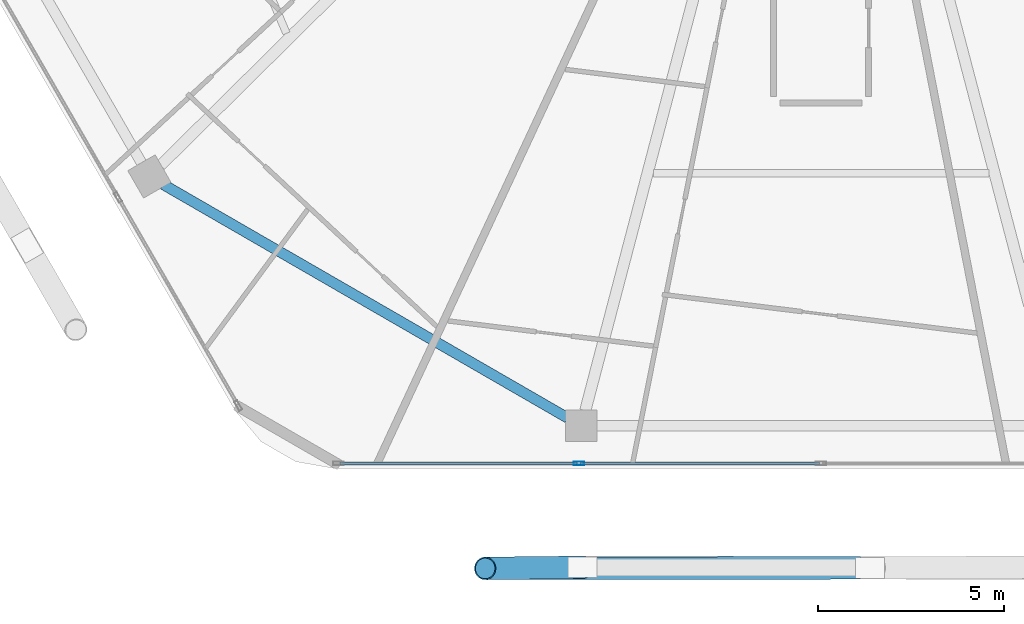
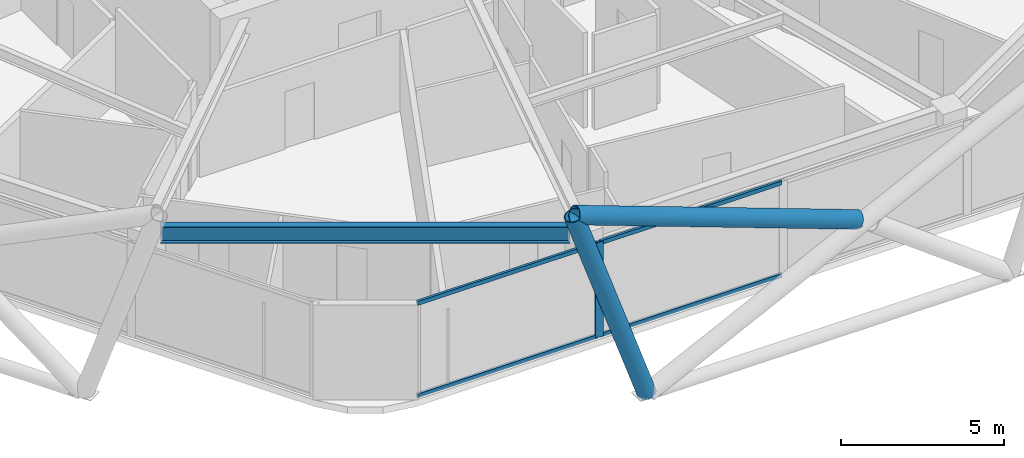
# One storey, part 3 of 29: 7 members, 1 beam, 1 element without a shape of its own.
"""IFC4 building model written with IfcOpenShell, lengths in metres."""

from ifc_helpers import new_model, si_unit, direction, frame, origin, origin_2d, place, context, subcontext, project, spatial, hollow_rectangle, hollow_circle, i_section, extrude, material, material_profile, profile_set, type_object, element, aggregate, save


model = new_model("IFC4")

# Units and contexts
model_context = context("Model", 3, precision=1e-05, world=origin(), true_north=direction((0.0, 1.0)))
body_context = subcontext(model_context, "Body", "Model", "MODEL_VIEW")
ifc_project = project(units=[si_unit("LENGTHUNIT", "METRE"), si_unit("AREAUNIT", "SQUARE_METRE"), si_unit("VOLUMEUNIT", "CUBIC_METRE"), si_unit("PLANEANGLEUNIT", "RADIAN"), si_unit("MASSUNIT", "GRAM", prefix="KILO")], contexts=[model_context])

# Site, building, storey
site_placement = place(None, origin())
site = spatial("IfcSite", under=ifc_project, at=site_placement, CompositionType="ELEMENT")
building_placement = place(site_placement, origin())
building = spatial("IfcBuilding", under=site, at=building_placement, Name="Zuhravey Tower", CompositionType="ELEMENT")
storey_placement = place(building_placement, frame((0.0, 0.0, 269.199951171875)))
storey = spatial("IfcBuildingStorey", under=building, at=storey_placement, Name="L68", CompositionType="ELEMENT", Elevation=269.199951171875)

# Curtain wall, members
ifc_material_1 = material(Name="Thermally broken anodised aluminium", Category="aluminium")
curtain_wall_type = type_object("IfcCurtainWallType", Name="Zone 3-4 High-Rise Curtain Wall CW4", PredefinedType="NOTDEFINED", material=ifc_material_1)
curtain_wall_placement = place(storey_placement, origin())
curtain_wall = element("IfcCurtainWall", 1, at=curtain_wall_placement, inside=storey, type_object=curtain_wall_type, Name="L68 CW4 CW-L68-F5-1", PredefinedType="NOTDEFINED")
ifc_material_2 = material(Name="Anodised aluminium", Category="aluminium")
ifc_material_profile_1 = material_profile(ifc_material_2, hollow_rectangle(XDim=0.090087890625, YDim=0.284912109375, WallThickness=0.0048828125, at=origin_2d()), Name="ALU-RHS-90x285x5")
ifc_profile_set_1 = profile_set([ifc_material_profile_1], Name="Anodised aluminium")
member_type_1 = type_object("IfcMemberType", Name="Curtain-Wall Mullion 90x180", PredefinedType="MULLION", material=ifc_profile_set_1)
member_1_placement = place(storey_placement, frame((29.49365234375, 6.436279296875, 0.0), z_axis=(0.0, 0.0, 1.0), x_axis=(0.0, -1.0, 0.0)))
member_1 = element("IfcMember", 2, at=member_1_placement, type_object=member_type_1, Name="CW4 mullion 4", PredefinedType="MULLION", context=body_context, shape_type="SweptSolid", body=[
    extrude(hollow_rectangle(XDim=0.090087890625, YDim=0.284912109375, WallThickness=0.0048828125, at=origin_2d()), origin(), (0.0, 0.0, 1.0), 3.550048828125),
])
ifc_material_profile_2 = material_profile(ifc_material_2, hollow_rectangle(XDim=0.090087890625, YDim=0.14990234375, WallThickness=0.0048828125, at=origin_2d()), Name="ALU-RHS-90x150x5")
ifc_profile_set_2 = profile_set([ifc_material_profile_2], Name="Anodised aluminium")
member_type_2 = type_object("IfcMemberType", Name="Curtain-Wall Transom 90x150", PredefinedType="USERDEFINED", material=ifc_profile_set_2)
member_2_placement = place(storey_placement, frame((35.955078125, 6.436279296875, 0.045166015625), z_axis=(-1.0, 0.0, 0.0), x_axis=(0.0, -1.0, 0.0)))
member_2 = element("IfcMember", 3, at=member_2_placement, type_object=member_type_2, Name="CW4 transom 3.1", ObjectType="TRANSOM", PredefinedType="USERDEFINED", context=body_context, shape_type="SweptSolid", body=[
    extrude(hollow_rectangle(XDim=0.090087890625, YDim=0.14990234375, WallThickness=0.0048828125, at=origin_2d()), origin(), (0.0, 0.0, 1.0), 6.41650390625),
])
member_3_placement = place(storey_placement, frame((35.955078125, 6.436279296875, 3.505126953125), z_axis=(-1.0, 0.0, 0.0), x_axis=(0.0, -1.0, 0.0)))
member_3 = element("IfcMember", 4, at=member_3_placement, type_object=member_type_2, Name="CW4 transom 3.2", ObjectType="TRANSOM", PredefinedType="USERDEFINED", context=body_context, shape_type="SweptSolid", body=[
    extrude(hollow_rectangle(XDim=0.090087890625, YDim=0.14990234375, WallThickness=0.0048828125, at=origin_2d()), origin(), (0.0, 0.0, 1.0), 6.41650390625),
])
member_4_placement = place(storey_placement, frame((29.44873046875, 6.436279296875, 0.045166015625), z_axis=(-1.0, 0.0, 0.0), x_axis=(0.0, -1.0, 0.0)))
member_4 = element("IfcMember", 5, at=member_4_placement, type_object=member_type_2, Name="CW4 transom 4.1", ObjectType="TRANSOM", PredefinedType="USERDEFINED", context=body_context, shape_type="SweptSolid", body=[
    extrude(hollow_rectangle(XDim=0.090087890625, YDim=0.14990234375, WallThickness=0.0048828125, at=origin_2d()), origin(), (0.0, 0.0, 1.0), 6.371337890625),
])
member_5_placement = place(storey_placement, frame((29.44873046875, 6.436279296875, 3.505126953125), z_axis=(-1.0, 0.0, 0.0), x_axis=(0.0, -1.0, 0.0)))
member_5 = element("IfcMember", 6, at=member_5_placement, type_object=member_type_2, Name="CW4 transom 4.2", ObjectType="TRANSOM", PredefinedType="USERDEFINED", context=body_context, shape_type="SweptSolid", body=[
    extrude(hollow_rectangle(XDim=0.090087890625, YDim=0.14990234375, WallThickness=0.0048828125, at=origin_2d()), origin(), (0.0, 0.0, 1.0), 6.371337890625),
])
aggregate(curtain_wall, [member_1, member_2, member_3, member_4, member_5])

# Members
ifc_material_3 = material(Name="Steel SM355", Category="steel")
ifc_material_profile_3 = material_profile(ifc_material_3, hollow_circle(Radius=0.3046875, WallThickness=0.028076171875, at=origin_2d()), Name="CHS-609.6x28")
ifc_profile_set_3 = profile_set([ifc_material_profile_3], Name="Steel SM355")
member_type_3 = type_object("IfcMemberType", Name="Exoskeleton Zone 3 Diagrid CHS610x28", PredefinedType="BRACE", material=ifc_profile_set_3)
member_6_placement = place(storey_placement, frame((29.586181640625, 3.646240234375, -0.446044921875), z_axis=(-0.326048604567, -0.003722434003, 0.945345678017), x_axis=(0.011416063057, -0.999934834629, 0.0)))
element("IfcMember", 7, at=member_6_placement, inside=storey, type_object=member_type_3, Name="L68 Face 5 Diagrid Brace 1", PredefinedType="BRACE", context=body_context, shape_type="SweptSolid", body=[
    extrude(hollow_circle(Radius=0.3046875, WallThickness=0.028076171875, at=origin_2d()), origin(), (0.0, 0.0, 1.0), 8.00146484375),
])
member_7_placement = place(storey_placement, frame((37.03369140625, 3.631103515625, 3.437744140625), z_axis=(-0.938611635194, -0.001371570826, 0.344972922229), x_axis=(0.001461274621, -0.999998932338, 0.0)))
element("IfcMember", 8, at=member_7_placement, inside=storey, type_object=member_type_3, Name="L68 Face 5 Split Diagrid Brace 3B", PredefinedType="BRACE", context=body_context, shape_type="SweptSolid", body=[
    extrude(hollow_circle(Radius=0.3046875, WallThickness=0.028076171875, at=origin_2d()), origin(), (0.0, 0.0, 1.0), 10.679931640625),
])

# Beam
ifc_material_profile_4 = material_profile(ifc_material_3, i_section(OverallWidth=0.280029296875, OverallDepth=0.6201171875, WebThickness=0.011962890625, FlangeThickness=0.02001953125, at=origin_2d()), Name="H-620x280x12x20")
ifc_profile_set_4 = profile_set([ifc_material_profile_4], Name="Steel SM355")
beam_type = type_object("IfcBeamType", Name="Perimeter Ring Beam H620x280", PredefinedType="BEAM", material=ifc_profile_set_4)
beam_placement = place(storey_placement, frame((18.3271484375, 13.931396484375, 3.239990234375), z_axis=(0.866018312875, -0.500012281615, 0.0), x_axis=(0.500012281615, 0.866018312875, 0.0)))
element("IfcBeam", 9, at=beam_placement, inside=storey, type_object=beam_type, Name="L68 PB3 BM-L68-PB-08", PredefinedType="BEAM", context=body_context, shape_type="SweptSolid", body=[
    extrude(i_section(OverallWidth=0.280029296875, OverallDepth=0.6201171875, WebThickness=0.011962890625, FlangeThickness=0.02001953125, at=origin_2d()), origin(), (0.0, 0.0, 1.0), 12.541748046875),
])

save(model, "model.ifc")
